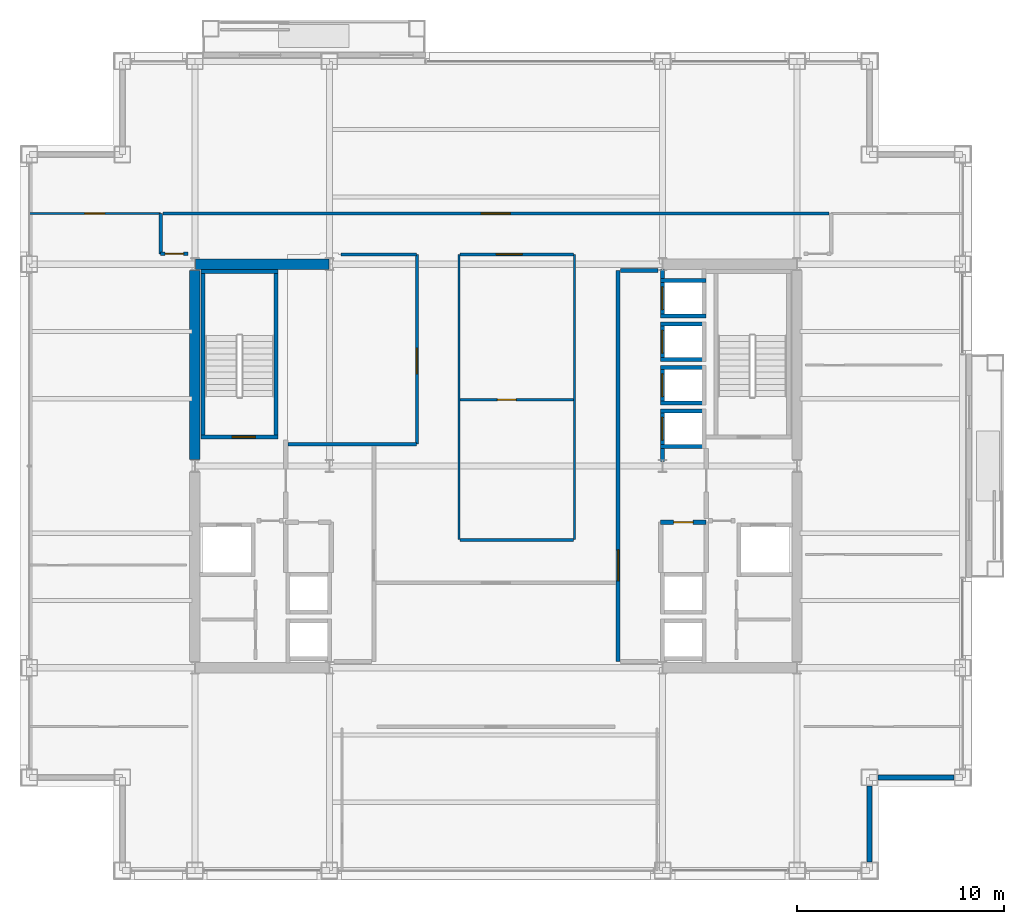
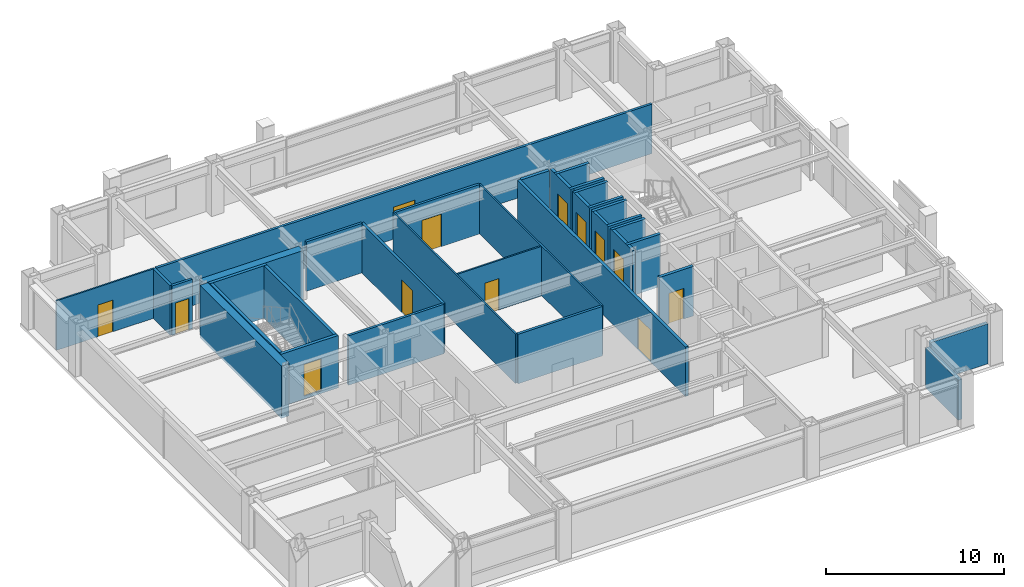
# One storey, part 25 of 29: 35 walls, 13 doors, 13 openings.
"""IFC4 building model written with IfcOpenShell, lengths in metres."""

from ifc_helpers import new_model, si_unit, direction, frame, frame_2d, origin, place, context, subcontext, project, spatial, rectangle, extrude, material, layer, layer_set, type_object, element, fill, save


model = new_model("IFC4")

# Units and contexts
model_context = context("Model", 3, precision=1e-05, world=origin(), true_north=direction((0.0, 1.0)))
body_context = subcontext(model_context, "Body", "Model", "MODEL_VIEW")
ifc_project = project(units=[si_unit("LENGTHUNIT", "METRE"), si_unit("AREAUNIT", "SQUARE_METRE"), si_unit("VOLUMEUNIT", "CUBIC_METRE"), si_unit("PLANEANGLEUNIT", "RADIAN"), si_unit("MASSUNIT", "GRAM", prefix="KILO")], contexts=[model_context])

# Site, building, storey
site_placement = place(None, origin())
site = spatial("IfcSite", under=ifc_project, at=site_placement, CompositionType="ELEMENT")
building_placement = place(site_placement, origin())
building = spatial("IfcBuilding", under=site, at=building_placement, Name="Brelmoor Portico Tower", CompositionType="ELEMENT")
storey_placement = place(building_placement, frame((0.0, 0.0, 127.800048828125)))
storey = spatial("IfcBuildingStorey", under=building, at=storey_placement, Name="L33", CompositionType="ELEMENT", Elevation=127.800048828125)

# Walls
ifc_material_1 = material(Name="Concrete C60", Category="concrete")
ifc_layer_1 = layer(ifc_material_1, 0.5)
ifc_layer_set_1 = layer_set([ifc_layer_1], Name="Concrete C60")
wall_type_1 = type_object("IfcWallType", Name="WL-CORE-500", PredefinedType="SHEAR", material=ifc_layer_set_1)
wall_1_placement = place(storey_placement, frame((-14.530029296875, 9.75, -0.199951171875), z_axis=(0.0, 0.0, 1.0), x_axis=(1.0, 0.0, 0.0)))
element("IfcWall", 1, at=wall_1_placement, inside=storey, type_object=wall_type_1, Name="L33 WC North Shear Wall", PredefinedType="SHEAR", context=body_context, shape_type="SweptSolid", body=[
    extrude(rectangle(XDim=6.4599609375, YDim=0.5, at=frame_2d((3.22998046875, 0.0))), origin(), (0.0, 0.0, 1.0), 3.599853515625),
])
wall_2_placement = place(storey_placement, frame((-14.550048828125, 0.300048828125, -0.199951171875), z_axis=(0.0, 0.0, 1.0), x_axis=(0.0, 1.0, 0.0)))
element("IfcWall", 2, at=wall_2_placement, inside=storey, type_object=wall_type_1, Name="L33 WC Outer North Shear Wall", PredefinedType="SHEAR", context=body_context, shape_type="SweptSolid", body=[
    extrude(rectangle(XDim=9.14990234375, YDim=0.5, at=frame_2d((4.574951171875, 0.0))), origin(), (0.0, 0.0, 1.0), 3.599853515625),
])
ifc_material_2 = material(Name="Precast Concrete C40 Insulated Facade Wall", Category="concrete")
ifc_layer_2 = layer(ifc_material_2, 0.25)
ifc_layer_set_2 = layer_set([ifc_layer_2], Name="Precast Concrete C40 Insulated Facade Wall")
wall_type_2 = type_object("IfcWallType", Name="WL-EXT-250", PredefinedType="STANDARD", material=ifc_layer_set_2)
for number, where, z_axis, x_axis, name in (
    (3, (18.4599609375, -15.050048828125, 0.0), (0.0, 0.0, 1.0), (1.0, 0.0, 0.0), "L33 Corner Notch Facade Wall NSEH1"),
    (4, (18.050048828125, -19.139892578125, 0.0), (0.0, 0.0, 1.0), (0.0, 1.0, 0.0), "L33 Corner Notch Facade Wall NSEV1"),
):
    element("IfcWall", number, at=place(storey_placement, frame(where, z_axis=z_axis, x_axis=x_axis)), inside=storey, type_object=wall_type_2, Name=name, PredefinedType="STANDARD", context=body_context, shape_type="SweptSolid", body=[
        extrude(rectangle(XDim=3.679931640625, YDim=0.25, at=frame_2d((1.83984375, 0.0))), origin(), (0.0, 0.0, 1.0), 2.75),
    ])
ifc_material_3 = material(Name="Demountable Glazed Office Partition", Category="aluminium")
ifc_layer_3 = layer(ifc_material_3, 0.10009765625)
ifc_layer_set_3 = layer_set([ifc_layer_3], Name="Demountable Glazed Office Partition")
wall_type_3 = type_object("IfcWallType", Name="WL-PART-100", PredefinedType="PARTITIONING", material=ifc_layer_set_3)
for number, where, z_axis, x_axis, name in (
    (5, (-1.780029296875, -3.550048828125, 0.0), (0.0, 0.0, 1.0), (0.0, 1.0, 0.0), "L33 Central Studio West Wall"),
    (6, (3.800048828125, -3.550048828125, 0.0), (0.0, 0.0, 1.0), (0.0, 1.0, 0.0), "L33 Central Studio East Wall"),
):
    element("IfcWall", number, at=place(storey_placement, frame(where, z_axis=z_axis, x_axis=x_axis)), inside=storey, type_object=wall_type_3, Name=name, PredefinedType="PARTITIONING", context=body_context, shape_type="SweptSolid", body=[
        extrude(rectangle(XDim=13.77001953125, YDim=0.10009765625, at=frame_2d((6.885009765625, 0.0))), origin(), (0.0, 0.0, 1.0), 3.39990234375),
    ])

# Wall, opening, door
wall_3_placement = place(storey_placement, frame((-1.72998046875, 3.199951171875, 0.0), z_axis=(0.0, 0.0, 1.0), x_axis=(1.0, 0.0, 0.0)))
wall_3 = element("IfcWall", 7, at=wall_3_placement, inside=storey, type_object=wall_type_3, Name="L33 Central Pantry Divider", PredefinedType="PARTITIONING", context=body_context, shape_type="SweptSolid", body=[
    extrude(rectangle(XDim=5.47998046875, YDim=0.10009765625, at=frame_2d((2.739990234375, 0.0))), origin(), (0.0, 0.0, 1.0), 3.39990234375),
])
opening_1_placement = place(wall_3_placement, frame((1.800048828125, 0.0, 0.0)))
opening_1 = element("IfcOpeningElement", 8, at=opening_1_placement, cuts=wall_3, Name="Opening D-IN1", PredefinedType="OPENING", context=body_context, shape_type="SweptSolid", body=[
    extrude(rectangle(XDim=0.89990234375, YDim=2.14990234375, at=frame_2d((0.449951171875, 1.074951171875))), frame((0.0, 0.06005859375, 0.0), z_axis=(0.0, -1.0, 0.0), x_axis=(1.0, 0.0, 0.0)), (0.0, 0.0, 1.0), 0.1201171875),
])
ifc_material_4 = material(Name="Lacquered Timber Suite Door", Category="wood")
door_type_1 = type_object("IfcDoorType", Name="DR-INT-900", OperationType="NOTDEFINED", PredefinedType="DOOR", material=ifc_material_4)
door_1_placement = place(opening_1_placement, origin())
door_1 = element("IfcDoor", 9, at=door_1_placement, inside=storey, type_object=door_type_1, Name="D-1434 L33 Central Pantry Connecting Door", OperationType="SINGLE_SWING_LEFT", OverallHeight=2.14990234375, OverallWidth=0.89990234375, PredefinedType="DOOR", context=body_context, shape_type="SweptSolid", body=[
    extrude(rectangle(XDim=0.89990234375, YDim=2.14990234375, at=frame_2d((0.449951171875, 1.074951171875))), frame((0.0, 0.02490234375, 0.0), z_axis=(0.0, -1.0, 0.0), x_axis=(1.0, 0.0, 0.0)), (0.0, 0.0, 1.0), 0.050048828125),
])
fill(opening_1, door_1)

wall_4_placement = place(storey_placement, frame((-22.56005859375, 12.199951171875, 0.0), z_axis=(0.0, 0.0, 1.0), x_axis=(1.0, 0.0, 0.0)))
wall_4 = element("IfcWall", 10, at=wall_4_placement, inside=storey, type_object=wall_type_3, Name="L33 North Wing Closure WL", PredefinedType="PARTITIONING", context=body_context, shape_type="SweptSolid", body=[
    extrude(rectangle(XDim=6.360107421875, YDim=0.10009765625, at=frame_2d((3.18017578125, 0.0))), origin(), (0.0, 0.0, 1.0), 3.39990234375),
])
opening_2_placement = place(wall_4_placement, frame((2.699951171875, 0.0, 0.0)))
opening_2 = element("IfcOpeningElement", 11, at=opening_2_placement, cuts=wall_4, Name="Opening D-IN2", PredefinedType="OPENING", context=body_context, shape_type="SweptSolid", body=[
    extrude(rectangle(XDim=0.9599609375, YDim=2.179931640625, at=frame_2d((0.47998046875, 1.08984375))), frame((0.0, 0.06005859375, 0.0), z_axis=(0.0, -1.0, 0.0), x_axis=(1.0, 0.0, 0.0)), (0.0, 0.0, 1.0), 0.1201171875),
])
door_type_2 = type_object("IfcDoorType", Name="DR-INT-950", OperationType="NOTDEFINED", PredefinedType="DOOR", material=ifc_material_4)
door_2_placement = place(opening_2_placement, origin())
door_2 = element("IfcDoor", 12, at=door_2_placement, inside=storey, type_object=door_type_2, Name="D-1450 L33 WL Wing North Suite Door", OperationType="SINGLE_SWING_LEFT", OverallHeight=2.179931640625, OverallWidth=0.9599609375, PredefinedType="DOOR", context=body_context, shape_type="SweptSolid", body=[
    extrude(rectangle(XDim=0.9599609375, YDim=2.179931640625, at=frame_2d((0.47998046875, 1.08984375))), frame((0.0, 0.02490234375, 0.0), z_axis=(0.0, -1.0, 0.0), x_axis=(1.0, 0.0, 0.0)), (0.0, 0.0, 1.0), 0.050048828125),
])
fill(opening_2, door_2)

# Wall
ifc_material_5 = material(Name="Twin-Frame Acoustic Partition", Category="gypsum")
ifc_layer_4 = layer(ifc_material_5, 0.159912109375)
ifc_layer_set_4 = layer_set([ifc_layer_4], Name="Twin-Frame Acoustic Partition")
wall_type_4 = type_object("IfcWallType", Name="WL-PART-160", PredefinedType="PARTITIONING", material=ifc_layer_set_4)
wall_5_placement = place(storey_placement, frame((-10.050048828125, 1.050048828125, 0.0), z_axis=(0.0, 0.0, 1.0), x_axis=(1.0, 0.0, 0.0)))
element("IfcWall", 13, at=wall_5_placement, inside=storey, type_object=wall_type_4, Name="L33 Reclaimed West Suite South Wall", PredefinedType="PARTITIONING", context=body_context, shape_type="SweptSolid", body=[
    extrude(rectangle(XDim=6.2099609375, YDim=0.159912109375, at=frame_2d((3.10498046875, 0.0))), origin(), (0.0, 0.0, 1.0), 3.39990234375),
])

# Wall, opening, door
wall_6_placement = place(storey_placement, frame((-3.820068359375, 1.050048828125, 0.0), z_axis=(0.0, 0.0, 1.0), x_axis=(0.0, 1.0, 0.0)))
wall_6 = element("IfcWall", 14, at=wall_6_placement, inside=storey, type_object=wall_type_4, Name="L33 Reclaimed West Suite East Wall", PredefinedType="PARTITIONING", context=body_context, shape_type="SweptSolid", body=[
    extrude(rectangle(XDim=9.169921875, YDim=0.159912109375, at=frame_2d((4.5849609375, 0.0))), origin(), (0.0, 0.0, 1.0), 3.39990234375),
])
opening_3_placement = place(wall_6_placement, frame((3.39990234375, 0.0, 0.0)))
opening_3 = element("IfcOpeningElement", 15, at=opening_3_placement, cuts=wall_6, Name="Opening D-SU1", PredefinedType="OPENING", context=body_context, shape_type="SweptSolid", body=[
    extrude(rectangle(XDim=1.239990234375, YDim=2.239990234375, at=frame_2d((0.6201171875, 1.1201171875))), frame((0.0, 0.08984375, 0.0), z_axis=(0.0, -1.0, 0.0), x_axis=(1.0, 0.0, 0.0)), (0.0, 0.0, 1.0), 0.179931640625),
])
ifc_material_6 = material(Name="Glazed Timber Executive Suite Door", Category="wood")
door_type_3 = type_object("IfcDoorType", Name="DR-SUITE-1200", OperationType="NOTDEFINED", PredefinedType="DOOR", material=ifc_material_6)
door_3_placement = place(opening_3_placement, origin())
door_3 = element("IfcDoor", 16, at=door_3_placement, inside=storey, type_object=door_type_3, Name="D-1451 L33 West Reclaimed Collaboration Office Door", OperationType="SINGLE_SWING_RIGHT", OverallHeight=2.239990234375, OverallWidth=1.239990234375, PredefinedType="DOOR", context=body_context, shape_type="SweptSolid", body=[
    extrude(rectangle(XDim=1.239990234375, YDim=2.239990234375, at=frame_2d((0.6201171875, 1.1201171875))), frame((0.0, 0.02490234375, 0.0), z_axis=(0.0, -1.0, 0.0), x_axis=(1.0, 0.0, 0.0)), (0.0, 0.0, 1.0), 0.050048828125),
])
fill(opening_3, door_3)

# Walls
wall_7_placement = place(storey_placement, frame((-7.5, 10.219970703125, 0.0), z_axis=(0.0, 0.0, 1.0), x_axis=(1.0, 0.0, 0.0)))
element("IfcWall", 17, at=wall_7_placement, inside=storey, type_object=wall_type_4, Name="L33 Reclaimed West Suite North Wall", PredefinedType="PARTITIONING", context=body_context, shape_type="SweptSolid", body=[
    extrude(rectangle(XDim=3.659912109375, YDim=0.159912109375, at=frame_2d((1.830078125, 0.0))), origin(), (0.0, 0.0, 1.0), 3.39990234375),
])
wall_8_placement = place(storey_placement, frame((-1.72998046875, -3.580078125, 0.0), z_axis=(0.0, 0.0, 1.0), x_axis=(1.0, 0.0, 0.0)))
element("IfcWall", 18, at=wall_8_placement, inside=storey, type_object=wall_type_4, Name="L33 Central Studio South Wall", PredefinedType="PARTITIONING", context=body_context, shape_type="SweptSolid", body=[
    extrude(rectangle(XDim=5.47998046875, YDim=0.159912109375, at=frame_2d((2.739990234375, 0.0))), origin(), (0.0, 0.0, 1.0), 3.39990234375),
])

# Wall, opening, door
wall_9_placement = place(storey_placement, frame((-1.72998046875, 10.219970703125, 0.0), z_axis=(0.0, 0.0, 1.0), x_axis=(1.0, 0.0, 0.0)))
wall_9 = element("IfcWall", 19, at=wall_9_placement, inside=storey, type_object=wall_type_4, Name="L33 Central Meeting North Wall", PredefinedType="PARTITIONING", context=body_context, shape_type="SweptSolid", body=[
    extrude(rectangle(XDim=5.47998046875, YDim=0.159912109375, at=frame_2d((2.739990234375, 0.0))), origin(), (0.0, 0.0, 1.0), 3.39990234375),
])
opening_4_placement = place(wall_9_placement, frame((1.75, 0.0, 0.0)))
opening_4 = element("IfcOpeningElement", 20, at=opening_4_placement, cuts=wall_9, Name="Opening D-SU1", PredefinedType="OPENING", context=body_context, shape_type="SweptSolid", body=[
    extrude(rectangle(XDim=1.239990234375, YDim=2.239990234375, at=frame_2d((0.6201171875, 1.1201171875))), frame((0.0, 0.08984375, 0.0), z_axis=(0.0, -1.0, 0.0), x_axis=(1.0, 0.0, 0.0)), (0.0, 0.0, 1.0), 0.179931640625),
])
door_4_placement = place(opening_4_placement, origin())
door_4 = element("IfcDoor", 21, at=door_4_placement, inside=storey, type_object=door_type_3, Name="D-1435 L33 Client Meeting Room Door", OperationType="SINGLE_SWING_RIGHT", OverallHeight=2.239990234375, OverallWidth=1.239990234375, PredefinedType="DOOR", context=body_context, shape_type="SweptSolid", body=[
    extrude(rectangle(XDim=1.239990234375, YDim=2.239990234375, at=frame_2d((0.6201171875, 1.1201171875))), frame((0.0, 0.02490234375, 0.0), z_axis=(0.0, -1.0, 0.0), x_axis=(1.0, 0.0, 0.0)), (0.0, 0.0, 1.0), 0.050048828125),
])
fill(opening_4, door_4)

wall_10_placement = place(storey_placement, frame((-16.10009765625, 12.199951171875, 0.0), z_axis=(0.0, 0.0, 1.0), x_axis=(1.0, 0.0, 0.0)))
wall_10 = element("IfcWall", 22, at=wall_10_placement, inside=storey, type_object=wall_type_4, Name="L33 North Corridor Partition", PredefinedType="PARTITIONING", context=body_context, shape_type="SweptSolid", body=[
    extrude(rectangle(XDim=32.2001953125, YDim=0.159912109375, at=frame_2d((16.10009765625, 0.0))), origin(), (0.0, 0.0, 1.0), 3.39990234375),
])
opening_5_placement = place(wall_10_placement, frame((15.39990234375, 0.0, 0.0)))
opening_5 = element("IfcOpeningElement", 23, at=opening_5_placement, cuts=wall_10, Name="Opening D-SU2", PredefinedType="OPENING", context=body_context, shape_type="SweptSolid", body=[
    extrude(rectangle(XDim=1.39990234375, YDim=2.199951171875, at=frame_2d((0.699951171875, 1.10009765625))), frame((0.0, 0.08984375, 0.0), z_axis=(0.0, -1.0, 0.0), x_axis=(1.0, 0.0, 0.0)), (0.0, 0.0, 1.0), 0.179931640625),
])
ifc_material_7 = material(Name="Double-Leaf Acoustic Suite Door", Category="timber")
door_type_4 = type_object("IfcDoorType", Name="DR-SUITE-1400", OperationType="NOTDEFINED", PredefinedType="DOOR", material=ifc_material_7)
door_5_placement = place(opening_5_placement, origin())
door_5 = element("IfcDoor", 24, at=door_5_placement, inside=storey, type_object=door_type_4, Name="D-1448 L33 North Reading Library 1 Door", OperationType="DOUBLE_DOOR_SINGLE_SWING", OverallHeight=2.199951171875, OverallWidth=1.39990234375, PredefinedType="DOOR", context=body_context, shape_type="SweptSolid", body=[
    extrude(rectangle(XDim=1.39990234375, YDim=2.199951171875, at=frame_2d((0.699951171875, 1.10009765625))), frame((0.0, 0.02490234375, 0.0), z_axis=(0.0, -1.0, 0.0), x_axis=(1.0, 0.0, 0.0)), (0.0, 0.0, 1.0), 0.050048828125),
])
fill(opening_5, door_5)

wall_11_placement = place(storey_placement, frame((-16.199951171875, 10.25, 0.0), z_axis=(0.0, 0.0, 1.0), x_axis=(1.0, 0.0, 0.0)))
wall_11 = element("IfcWall", 25, at=wall_11_placement, inside=storey, type_object=wall_type_4, Name="L33 W Wing North Entry Wall", PredefinedType="PARTITIONING", context=body_context, shape_type="SweptSolid", body=[
    extrude(rectangle(XDim=1.320068359375, YDim=0.159912109375, at=frame_2d((0.66015625, 0.0))), origin(), (0.0, 0.0, 1.0), 3.39990234375),
])
opening_6_placement = place(wall_11_placement, frame((0.2099609375, 0.0, 0.0)))
opening_6 = element("IfcOpeningElement", 26, at=opening_6_placement, cuts=wall_11, Name="Opening D-IN1", PredefinedType="OPENING", context=body_context, shape_type="SweptSolid", body=[
    extrude(rectangle(XDim=0.89990234375, YDim=2.14990234375, at=frame_2d((0.449951171875, 1.074951171875))), frame((0.0, 0.08984375, 0.0), z_axis=(0.0, -1.0, 0.0), x_axis=(1.0, 0.0, 0.0)), (0.0, 0.0, 1.0), 0.179931640625),
])
door_6_placement = place(opening_6_placement, origin())
door_6 = element("IfcDoor", 27, at=door_6_placement, inside=storey, type_object=door_type_1, Name="D-1464 L33 W Wing Entry Door", OperationType="SINGLE_SWING_RIGHT", OverallHeight=2.14990234375, OverallWidth=0.89990234375, PredefinedType="DOOR", context=body_context, shape_type="SweptSolid", body=[
    extrude(rectangle(XDim=0.89990234375, YDim=2.14990234375, at=frame_2d((0.449951171875, 1.074951171875))), frame((0.0, 0.02490234375, 0.0), z_axis=(0.0, -1.0, 0.0), x_axis=(1.0, 0.0, 0.0)), (0.0, 0.0, 1.0), 0.050048828125),
])
fill(opening_6, door_6)

# Wall
wall_12_placement = place(storey_placement, frame((-16.199951171875, 10.25, 0.0), z_axis=(0.0, 0.0, 1.0), x_axis=(0.0, 1.0, 0.0)))
element("IfcWall", 28, at=wall_12_placement, inside=storey, type_object=wall_type_4, Name="L33 W Corridor End Closure", PredefinedType="PARTITIONING", context=body_context, shape_type="SweptSolid", body=[
    extrude(rectangle(XDim=1.949951171875, YDim=0.159912109375, at=frame_2d((0.97509765625, 0.0))), origin(), (0.0, 0.0, 1.0), 3.39990234375),
])

# Wall, opening, door
ifc_material_8 = material(Name="Double-Stud Gypsum Fire Partition", Category="gypsum")
ifc_layer_5 = layer(ifc_material_8, 0.199951171875)
ifc_layer_set_5 = layer_set([ifc_layer_5], Name="Double-Stud Gypsum Fire Partition")
wall_type_5 = type_object("IfcWallType", Name="WL-PART-200", PredefinedType="PARTITIONING", material=ifc_layer_set_5)
wall_13_placement = place(storey_placement, frame((5.89990234375, -9.449951171875, 0.0), z_axis=(0.0, 0.0, 1.0), x_axis=(0.0, 1.0, 0.0)))
wall_13 = element("IfcWall", 29, at=wall_13_placement, inside=storey, type_object=wall_type_5, Name="L33 E Core Lobby Compartment Wall", PredefinedType="PARTITIONING", context=body_context, shape_type="SweptSolid", body=[
    extrude(rectangle(XDim=18.89990234375, YDim=0.199951171875, at=frame_2d((9.449951171875, 0.0))), origin(), (0.0, 0.0, 1.0), 3.39990234375),
])
opening_7_placement = place(wall_13_placement, frame((3.89990234375, 0.0, 0.0)))
opening_7 = element("IfcOpeningElement", 30, at=opening_7_placement, cuts=wall_13, Name="Opening D-LB1", PredefinedType="OPENING", context=body_context, shape_type="SweptSolid", body=[
    extrude(rectangle(XDim=1.5, YDim=2.199951171875, at=frame_2d((0.75, 1.10009765625))), frame((0.0, 0.10986328125, 0.0), z_axis=(0.0, -1.0, 0.0), x_axis=(1.0, 0.0, 0.0)), (0.0, 0.0, 1.0), 0.219970703125),
])
ifc_material_9 = material(Name="Double-Leaf Glazed Steel Fire Door", Category="steel")
door_type_5 = type_object("IfcDoorType", Name="DR-LOBBY-1500", OperationType="NOTDEFINED", PredefinedType="DOOR", material=ifc_material_9)
door_7_placement = place(opening_7_placement, origin())
door_7 = element("IfcDoor", 31, at=door_7_placement, inside=storey, type_object=door_type_5, Name="D-1446 L33 E Lift Lobby Main Door", OperationType="DOUBLE_DOOR_SINGLE_SWING", OverallHeight=2.199951171875, OverallWidth=1.5, PredefinedType="DOOR", context=body_context, shape_type="SweptSolid", body=[
    extrude(rectangle(XDim=1.5, YDim=2.199951171875, at=frame_2d((0.75, 1.10009765625))), frame((0.0, 0.02490234375, 0.0), z_axis=(0.0, -1.0, 0.0), x_axis=(1.0, 0.0, 0.0)), (0.0, 0.0, 1.0), 0.050048828125),
])
fill(opening_7, door_7)

# Wall
wall_14_placement = place(storey_placement, frame((6.02001953125, 9.449951171875, 0.0), z_axis=(0.0, 0.0, 1.0), x_axis=(1.0, 0.0, 0.0)))
element("IfcWall", 32, at=wall_14_placement, inside=storey, type_object=wall_type_5, Name="L33 E Lift Lobby North End Wall", PredefinedType="PARTITIONING", context=body_context, shape_type="SweptSolid", body=[
    extrude(rectangle(XDim=1.800048828125, YDim=0.199951171875, at=frame_2d((0.89990234375, 0.0))), origin(), (0.0, 0.0, 1.0), 3.39990234375),
])

# Wall, opening, door
wall_15_placement = place(storey_placement, frame((7.9599609375, -2.719970703125, 0.0), z_axis=(0.0, 0.0, 1.0), x_axis=(1.0, 0.0, 0.0)))
wall_15 = element("IfcWall", 33, at=wall_15_placement, inside=storey, type_object=wall_type_5, Name="L33 E Electrical Switchgear Closet Wall", PredefinedType="PARTITIONING", context=body_context, shape_type="SweptSolid", body=[
    extrude(rectangle(XDim=2.199951171875, YDim=0.199951171875, at=frame_2d((1.10009765625, 0.0))), origin(), (0.0, 0.0, 1.0), 3.39990234375),
])
opening_8_placement = place(wall_15_placement, frame((0.6201171875, 0.0, 0.0)))
opening_8 = element("IfcOpeningElement", 34, at=opening_8_placement, cuts=wall_15, Name="Opening D-FR4", PredefinedType="OPENING", context=body_context, shape_type="SweptSolid", body=[
    extrude(rectangle(XDim=0.949951171875, YDim=2.10009765625, at=frame_2d((0.47509765625, 1.050048828125))), frame((0.0, 0.10986328125, 0.0), z_axis=(0.0, -1.0, 0.0), x_axis=(1.0, 0.0, 0.0)), (0.0, 0.0, 1.0), 0.219970703125),
])
ifc_material_10 = material(Name="Painted Galvanised Steel Riser Door", Category="steel")
door_type_6 = type_object("IfcDoorType", Name="DR-FIRE-950", OperationType="NOTDEFINED", PredefinedType="DOOR", material=ifc_material_10)
door_8_placement = place(opening_8_placement, origin())
door_8 = element("IfcDoor", 35, at=door_8_placement, inside=storey, type_object=door_type_6, Name="D-1442 L33 E Electrical Switchgear Closet Door", OperationType="SINGLE_SWING_LEFT", OverallHeight=2.10009765625, OverallWidth=0.949951171875, PredefinedType="DOOR", context=body_context, shape_type="SweptSolid", body=[
    extrude(rectangle(XDim=0.949951171875, YDim=2.10009765625, at=frame_2d((0.47509765625, 1.050048828125))), frame((0.0, 0.02490234375, 0.0), z_axis=(0.0, -1.0, 0.0), x_axis=(1.0, 0.0, 0.0)), (0.0, 0.0, 1.0), 0.050048828125),
])
fill(opening_8, door_8)

ifc_material_11 = material(Name="Precast Concrete C40", Category="concrete")
ifc_layer_6 = layer(ifc_material_11, 0.18994140625)
ifc_layer_set_6 = layer_set([ifc_layer_6], Name="Precast Concrete C40")
wall_type_6 = type_object("IfcWallType", Name="WL-SHAFT-180", PredefinedType="SOLIDWALL", material=ifc_layer_set_6)
wall_16_placement = place(storey_placement, frame((8.044921875, 0.2099609375, -0.199951171875), z_axis=(0.0, 0.0, 1.0), x_axis=(0.0, 1.0, 0.0)))
wall_16 = element("IfcWall", 36, at=wall_16_placement, inside=storey, type_object=wall_type_6, Name="L33 Lift PM1 Hoistway Front Wall", PredefinedType="SOLIDWALL", context=body_context, shape_type="SweptSolid", body=[
    extrude(rectangle(XDim=2.5400390625, YDim=0.18994140625, at=frame_2d((1.27001953125, 0.0))), origin(), (0.0, 0.0, 1.0), 3.599853515625),
])
opening_9_placement = place(wall_16_placement, frame((1.0400390625, 0.0, 0.199951171875)))
opening_9 = element("IfcOpeningElement", 37, at=opening_9_placement, cuts=wall_16, Name="Opening LD-01", PredefinedType="OPENING", context=body_context, shape_type="SweptSolid", body=[
    extrude(rectangle(XDim=1.10009765625, YDim=2.199951171875, at=frame_2d((0.550048828125, 1.10009765625))), frame((0.0, 0.10498046875, 0.0), z_axis=(0.0, -1.0, 0.0), x_axis=(1.0, 0.0, 0.0)), (0.0, 0.0, 1.0), 0.2099609375),
])
ifc_material_12 = material(Name="Brushed Stainless Steel Sliding Lift Door", Category="steel")
door_type_7 = type_object("IfcDoorType", Name="DR-LIFT-1100", OperationType="NOTDEFINED", PredefinedType="DOOR", material=ifc_material_12)
door_9_placement = place(opening_9_placement, origin())
door_9 = element("IfcDoor", 38, at=door_9_placement, inside=storey, type_object=door_type_7, Name="D-1468 L33 Lift PM1 Sliding Landing Door", OperationType="SLIDING_TO_LEFT", OverallHeight=2.199951171875, OverallWidth=1.10009765625, PredefinedType="DOOR", context=body_context, shape_type="SweptSolid", body=[
    extrude(rectangle(XDim=1.10009765625, YDim=2.199951171875, at=frame_2d((0.550048828125, 1.10009765625))), frame((0.0, 0.02490234375, 0.0), z_axis=(0.0, -1.0, 0.0), x_axis=(1.0, 0.0, 0.0)), (0.0, 0.0, 1.0), 0.050048828125),
])
fill(opening_9, door_9)

# Walls
for number, where, z_axis, x_axis, name in (
    (39, (7.949951171875, 2.655029296875, -0.199951171875), (0.0, 0.0, 1.0), (1.0, 0.0, 0.0), "L33 Lift PM1 Hoistway North Wall"),
    (40, (7.949951171875, 0.945068359375, -0.199951171875), (0.0, 0.0, 1.0), (1.0, 0.0, 0.0), "L33 Lift PM1 Hoistway South Wall"),
):
    element("IfcWall", number, at=place(storey_placement, frame(where, z_axis=z_axis, x_axis=x_axis)), inside=storey, type_object=wall_type_6, Name=name, PredefinedType="SOLIDWALL", context=body_context, shape_type="SweptSolid", body=[
        extrude(rectangle(XDim=2.199951171875, YDim=0.18994140625, at=frame_2d((1.10009765625, 0.0))), origin(), (0.0, 0.0, 1.0), 3.599853515625),
    ])

# Wall, opening, door
wall_17_placement = place(storey_placement, frame((8.044921875, 2.949951171875, -0.199951171875), z_axis=(0.0, 0.0, 1.0), x_axis=(0.0, 1.0, 0.0)))
wall_17 = element("IfcWall", 41, at=wall_17_placement, inside=storey, type_object=wall_type_6, Name="L33 Lift PM2 Hoistway Front Wall", PredefinedType="SOLIDWALL", context=body_context, shape_type="SweptSolid", body=[
    extrude(rectangle(XDim=1.900146484375, YDim=0.18994140625, at=frame_2d((0.9501953125, 0.0))), origin(), (0.0, 0.0, 1.0), 3.599853515625),
])
opening_10_placement = place(wall_17_placement, frame((0.39990234375, 0.0, 0.199951171875)))
opening_10 = element("IfcOpeningElement", 42, at=opening_10_placement, cuts=wall_17, Name="Opening LD-01", PredefinedType="OPENING", context=body_context, shape_type="SweptSolid", body=[
    extrude(rectangle(XDim=1.10009765625, YDim=2.199951171875, at=frame_2d((0.550048828125, 1.10009765625))), frame((0.0, 0.10498046875, 0.0), z_axis=(0.0, -1.0, 0.0), x_axis=(1.0, 0.0, 0.0)), (0.0, 0.0, 1.0), 0.2099609375),
])
door_10_placement = place(opening_10_placement, origin())
door_10 = element("IfcDoor", 43, at=door_10_placement, inside=storey, type_object=door_type_7, Name="D-1469 L33 Lift PM2 Sliding Landing Door", OperationType="SLIDING_TO_LEFT", OverallHeight=2.199951171875, OverallWidth=1.10009765625, PredefinedType="DOOR", context=body_context, shape_type="SweptSolid", body=[
    extrude(rectangle(XDim=1.10009765625, YDim=2.199951171875, at=frame_2d((0.550048828125, 1.10009765625))), frame((0.0, 0.02490234375, 0.0), z_axis=(0.0, -1.0, 0.0), x_axis=(1.0, 0.0, 0.0)), (0.0, 0.0, 1.0), 0.050048828125),
])
fill(opening_10, door_10)

# Walls
for number, where, z_axis, x_axis, name in (
    (44, (7.949951171875, 4.7548828125, -0.199951171875), (0.0, 0.0, 1.0), (1.0, 0.0, 0.0), "L33 Lift PM2 Hoistway North Wall"),
    (45, (7.949951171875, 3.044921875, -0.199951171875), (0.0, 0.0, 1.0), (1.0, 0.0, 0.0), "L33 Lift PM2 Hoistway South Wall"),
):
    element("IfcWall", number, at=place(storey_placement, frame(where, z_axis=z_axis, x_axis=x_axis)), inside=storey, type_object=wall_type_6, Name=name, PredefinedType="SOLIDWALL", context=body_context, shape_type="SweptSolid", body=[
        extrude(rectangle(XDim=2.199951171875, YDim=0.18994140625, at=frame_2d((1.10009765625, 0.0))), origin(), (0.0, 0.0, 1.0), 3.599853515625),
    ])

# Wall, opening, door
wall_18_placement = place(storey_placement, frame((8.044921875, 5.050048828125, -0.199951171875), z_axis=(0.0, 0.0, 1.0), x_axis=(0.0, 1.0, 0.0)))
wall_18 = element("IfcWall", 46, at=wall_18_placement, inside=storey, type_object=wall_type_6, Name="L33 Lift PM3 Hoistway Front Wall", PredefinedType="SOLIDWALL", context=body_context, shape_type="SweptSolid", body=[
    extrude(rectangle(XDim=1.89990234375, YDim=0.18994140625, at=frame_2d((0.949951171875, 0.0))), origin(), (0.0, 0.0, 1.0), 3.599853515625),
])
opening_11_placement = place(wall_18_placement, frame((0.39990234375, 0.0, 0.199951171875)))
opening_11 = element("IfcOpeningElement", 47, at=opening_11_placement, cuts=wall_18, Name="Opening LD-01", PredefinedType="OPENING", context=body_context, shape_type="SweptSolid", body=[
    extrude(rectangle(XDim=1.10009765625, YDim=2.199951171875, at=frame_2d((0.550048828125, 1.10009765625))), frame((0.0, 0.10498046875, 0.0), z_axis=(0.0, -1.0, 0.0), x_axis=(1.0, 0.0, 0.0)), (0.0, 0.0, 1.0), 0.2099609375),
])
door_11_placement = place(opening_11_placement, origin())
door_11 = element("IfcDoor", 48, at=door_11_placement, inside=storey, type_object=door_type_7, Name="D-1470 L33 Lift PM3 Sliding Landing Door", OperationType="SLIDING_TO_LEFT", OverallHeight=2.199951171875, OverallWidth=1.10009765625, PredefinedType="DOOR", context=body_context, shape_type="SweptSolid", body=[
    extrude(rectangle(XDim=1.10009765625, YDim=2.199951171875, at=frame_2d((0.550048828125, 1.10009765625))), frame((0.0, 0.02490234375, 0.0), z_axis=(0.0, -1.0, 0.0), x_axis=(1.0, 0.0, 0.0)), (0.0, 0.0, 1.0), 0.050048828125),
])
fill(opening_11, door_11)

# Walls
for number, where, z_axis, x_axis, name in (
    (49, (7.949951171875, 6.85498046875, -0.199951171875), (0.0, 0.0, 1.0), (1.0, 0.0, 0.0), "L33 Lift PM3 Hoistway North Wall"),
    (50, (7.949951171875, 5.14501953125, -0.199951171875), (0.0, 0.0, 1.0), (1.0, 0.0, 0.0), "L33 Lift PM3 Hoistway South Wall"),
):
    element("IfcWall", number, at=place(storey_placement, frame(where, z_axis=z_axis, x_axis=x_axis)), inside=storey, type_object=wall_type_6, Name=name, PredefinedType="SOLIDWALL", context=body_context, shape_type="SweptSolid", body=[
        extrude(rectangle(XDim=2.199951171875, YDim=0.18994140625, at=frame_2d((1.10009765625, 0.0))), origin(), (0.0, 0.0, 1.0), 3.599853515625),
    ])

# Wall, opening, door
wall_19_placement = place(storey_placement, frame((8.044921875, 7.14990234375, -0.199951171875), z_axis=(0.0, 0.0, 1.0), x_axis=(0.0, 1.0, 0.0)))
wall_19 = element("IfcWall", 51, at=wall_19_placement, inside=storey, type_object=wall_type_6, Name="L33 Lift PM4 Hoistway Front Wall", PredefinedType="SOLIDWALL", context=body_context, shape_type="SweptSolid", body=[
    extrude(rectangle(XDim=2.3701171875, YDim=0.18994140625, at=frame_2d((1.18505859375, 0.0))), origin(), (0.0, 0.0, 1.0), 3.599853515625),
])
opening_12_placement = place(wall_19_placement, frame((0.39990234375, 0.0, 0.199951171875)))
opening_12 = element("IfcOpeningElement", 52, at=opening_12_placement, cuts=wall_19, Name="Opening LD-01", PredefinedType="OPENING", context=body_context, shape_type="SweptSolid", body=[
    extrude(rectangle(XDim=1.10009765625, YDim=2.199951171875, at=frame_2d((0.550048828125, 1.10009765625))), frame((0.0, 0.10498046875, 0.0), z_axis=(0.0, -1.0, 0.0), x_axis=(1.0, 0.0, 0.0)), (0.0, 0.0, 1.0), 0.2099609375),
])
door_12_placement = place(opening_12_placement, origin())
door_12 = element("IfcDoor", 53, at=door_12_placement, inside=storey, type_object=door_type_7, Name="D-1471 L33 Lift PM4 Sliding Landing Door", OperationType="SLIDING_TO_LEFT", OverallHeight=2.199951171875, OverallWidth=1.10009765625, PredefinedType="DOOR", context=body_context, shape_type="SweptSolid", body=[
    extrude(rectangle(XDim=1.10009765625, YDim=2.199951171875, at=frame_2d((0.550048828125, 1.10009765625))), frame((0.0, 0.02490234375, 0.0), z_axis=(0.0, -1.0, 0.0), x_axis=(1.0, 0.0, 0.0)), (0.0, 0.0, 1.0), 0.050048828125),
])
fill(opening_12, door_12)

# Walls
for number, where, z_axis, x_axis, name in (
    (54, (7.949951171875, 8.955078125, -0.199951171875), (0.0, 0.0, 1.0), (1.0, 0.0, 0.0), "L33 Lift PM4 Hoistway North Wall"),
    (55, (7.949951171875, 7.2451171875, -0.199951171875), (0.0, 0.0, 1.0), (1.0, 0.0, 0.0), "L33 Lift PM4 Hoistway South Wall"),
):
    element("IfcWall", number, at=place(storey_placement, frame(where, z_axis=z_axis, x_axis=x_axis)), inside=storey, type_object=wall_type_6, Name=name, PredefinedType="SOLIDWALL", context=body_context, shape_type="SweptSolid", body=[
        extrude(rectangle(XDim=2.199951171875, YDim=0.18994140625, at=frame_2d((1.10009765625, 0.0))), origin(), (0.0, 0.0, 1.0), 3.599853515625),
    ])
ifc_material_13 = material(Name="Concrete C40", Category="concrete")
ifc_layer_7 = layer(ifc_material_13, 0.199951171875)
ifc_layer_set_7 = layer_set([ifc_layer_7], Name="Concrete C40")
wall_type_7 = type_object("IfcWallType", Name="WL-SHAFT-RC200", PredefinedType="SOLIDWALL", material=ifc_layer_set_7)
wall_20_placement = place(storey_placement, frame((-14.14990234375, 1.5, -0.199951171875), z_axis=(0.0, 0.0, 1.0), x_axis=(0.0, 1.0, 0.0)))
element("IfcWall", 56, at=wall_20_placement, inside=storey, type_object=wall_type_7, Name="L33 ST-W Structural Stair Wall Outer", PredefinedType="SOLIDWALL", context=body_context, shape_type="SweptSolid", body=[
    extrude(rectangle(XDim=7.800048828125, YDim=0.199951171875, at=frame_2d((3.89990234375, 0.0))), origin(), (0.0, 0.0, 1.0), 3.599853515625),
])

# Wall, opening, door
wall_21_placement = place(storey_placement, frame((-14.25, 1.39990234375, -0.199951171875), z_axis=(0.0, 0.0, 1.0), x_axis=(1.0, 0.0, 0.0)))
wall_21 = element("IfcWall", 57, at=wall_21_placement, inside=storey, type_object=wall_type_7, Name="L33 ST-W Structural Stair Wall S", PredefinedType="SOLIDWALL", context=body_context, shape_type="SweptSolid", body=[
    extrude(rectangle(XDim=3.719970703125, YDim=0.199951171875, at=frame_2d((1.85986328125, 0.0))), origin(), (0.0, 0.0, 1.0), 3.599853515625),
])
opening_13_placement = place(wall_21_placement, frame((1.5, 0.0, 0.199951171875)))
opening_13 = element("IfcOpeningElement", 58, at=opening_13_placement, cuts=wall_21, Name="Opening D-ST1", PredefinedType="OPENING", context=body_context, shape_type="SweptSolid", body=[
    extrude(rectangle(XDim=1.1201171875, YDim=2.179931640625, at=frame_2d((0.56005859375, 1.08984375))), frame((0.0, 0.10986328125, 0.0), z_axis=(0.0, -1.0, 0.0), x_axis=(1.0, 0.0, 0.0)), (0.0, 0.0, 1.0), 0.219970703125),
])
ifc_material_14 = material(Name="Painted Galvanised Steel Fire Door", Category="steel")
door_type_8 = type_object("IfcDoorType", Name="DR-STAIR-1100", OperationType="NOTDEFINED", PredefinedType="DOOR", material=ifc_material_14)
door_13_placement = place(opening_13_placement, origin())
door_13 = element("IfcDoor", 59, at=door_13_placement, inside=storey, type_object=door_type_8, Name="D-1456 L33 ST-W Protected Exit Stair Door", OperationType="SINGLE_SWING_LEFT", OverallHeight=2.179931640625, OverallWidth=1.1201171875, PredefinedType="DOOR", context=body_context, shape_type="SweptSolid", body=[
    extrude(rectangle(XDim=1.1201171875, YDim=2.179931640625, at=frame_2d((0.56005859375, 1.08984375))), frame((0.0, 0.02490234375, 0.0), z_axis=(0.0, -1.0, 0.0), x_axis=(1.0, 0.0, 0.0)), (0.0, 0.0, 1.0), 0.050048828125),
])
fill(opening_13, door_13)

# Walls
wall_22_placement = place(storey_placement, frame((-14.25, 9.39990234375, -0.199951171875), z_axis=(0.0, 0.0, 1.0), x_axis=(1.0, 0.0, 0.0)))
element("IfcWall", 60, at=wall_22_placement, inside=storey, type_object=wall_type_7, Name="L33 ST-W Structural Stair Wall N", PredefinedType="SOLIDWALL", context=body_context, shape_type="SweptSolid", body=[
    extrude(rectangle(XDim=3.719970703125, YDim=0.199951171875, at=frame_2d((1.85986328125, 0.0))), origin(), (0.0, 0.0, 1.0), 3.599853515625),
])
wall_23_placement = place(storey_placement, frame((-10.6298828125, 1.5, -0.199951171875), z_axis=(0.0, 0.0, 1.0), x_axis=(0.0, 1.0, 0.0)))
element("IfcWall", 61, at=wall_23_placement, inside=storey, type_object=wall_type_7, Name="L33 ST-W Structural Stair Wall Inner", PredefinedType="SOLIDWALL", context=body_context, shape_type="SweptSolid", body=[
    extrude(rectangle(XDim=7.800048828125, YDim=0.199951171875, at=frame_2d((3.89990234375, 0.0))), origin(), (0.0, 0.0, 1.0), 3.599853515625),
])

save(model, "model.ifc")
